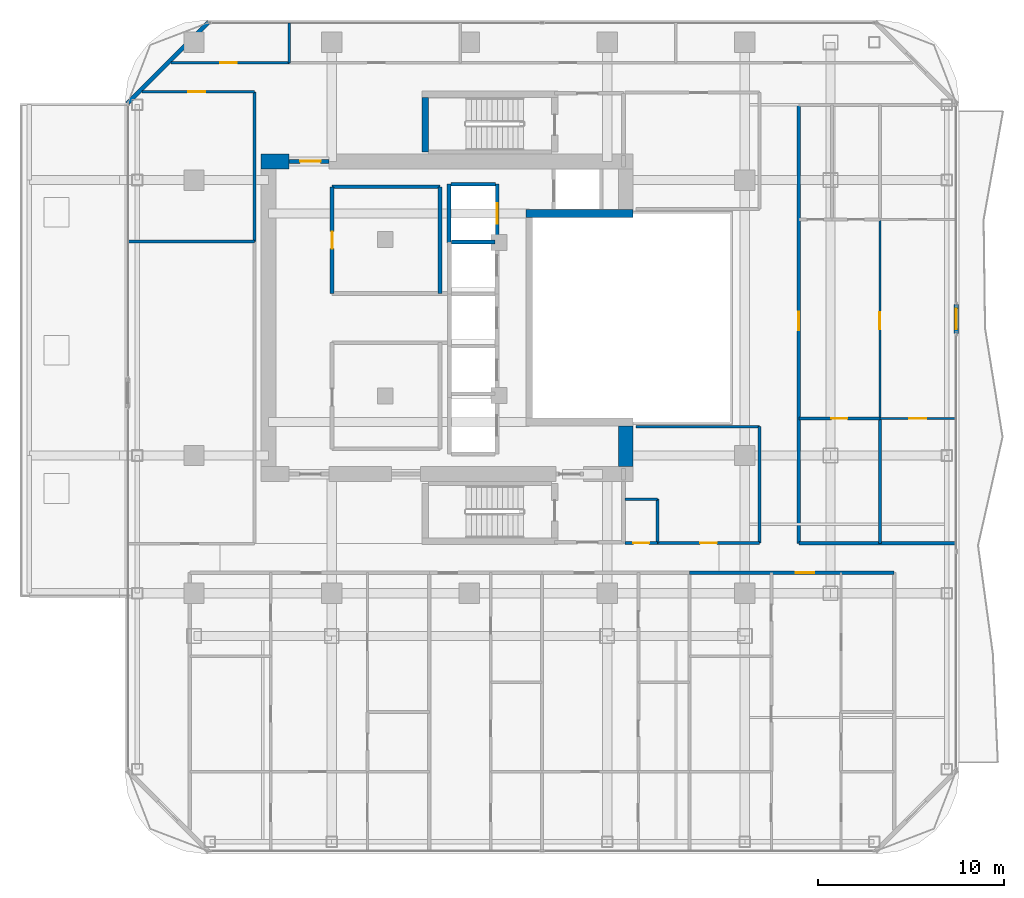
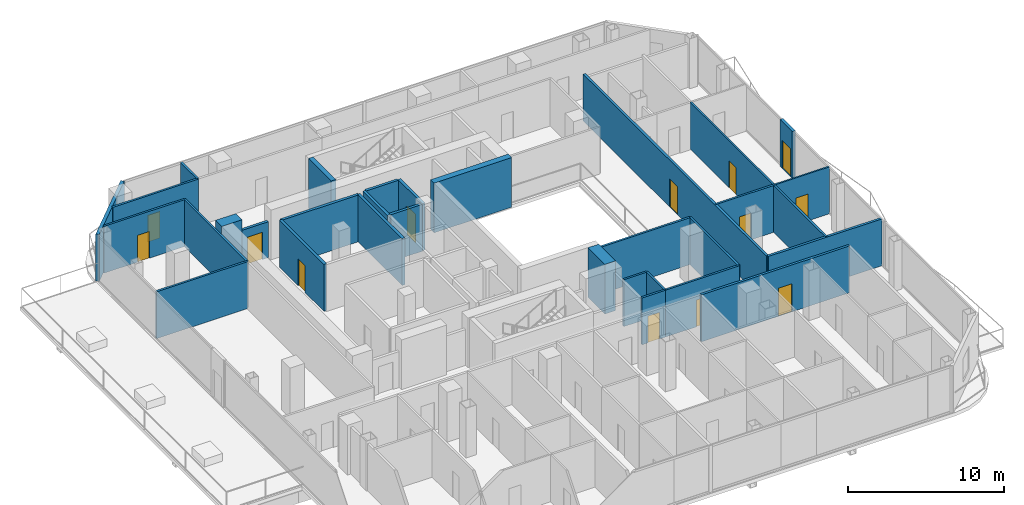
# One storey, part 22 of 26: 32 walls, 13 doors, 13 openings.
"""IFC4 building model written with IfcOpenShell, lengths in metres."""

from ifc_helpers import new_model, si_unit, direction, frame, frame_2d, origin, place, context, subcontext, project, spatial, rectangle, extrude, material, layer, layer_set, type_object, element, fill, save


model = new_model("IFC4")

# Units and contexts
model_context = context("Model", 3, precision=1e-05, world=origin(), true_north=direction((0.0, 1.0)))
body_context = subcontext(model_context, "Body", "Model", "MODEL_VIEW")
ifc_project = project(units=[si_unit("LENGTHUNIT", "METRE"), si_unit("AREAUNIT", "SQUARE_METRE"), si_unit("VOLUMEUNIT", "CUBIC_METRE"), si_unit("PLANEANGLEUNIT", "RADIAN"), si_unit("MASSUNIT", "GRAM", prefix="KILO")], contexts=[model_context])

# Site, building, storey
site_placement = place(None, origin())
site = spatial("IfcSite", under=ifc_project, at=site_placement, CompositionType="ELEMENT")
building_placement = place(site_placement, origin())
building = spatial("IfcBuilding", under=site, at=building_placement, Name="Khorvyn Point Tower", CompositionType="ELEMENT")
storey_placement = place(building_placement, frame((0.0, 0.0, 219.60009765625)))
storey = spatial("IfcBuildingStorey", under=building, at=storey_placement, Name="L54", CompositionType="ELEMENT", Elevation=219.60009765625)

# Wall, opening, door
ifc_material_1 = material(Name="Double acoustic gypsum on twin steel stud", Category="steel")
ifc_layer_1 = layer(ifc_material_1, 0.179931640625)
ifc_layer_set_1 = layer_set([ifc_layer_1], Name="Acoustic Double-Stud Apartment Demising Wall 180")
wall_type_1 = type_object("IfcWallType", Name="Acoustic Double-Stud Apartment Demising Wall 180", PredefinedType="PARTITIONING", material=ifc_layer_set_1)
wall_1_placement = place(storey_placement, frame((11.826904296875, -13.699951171875, 0.0), z_axis=(0.0, 0.0, 1.0), x_axis=(1.0, 0.0, 0.0)))
wall_1 = element("IfcWall", 1, at=wall_1_placement, inside=storey, type_object=wall_type_1, Name="Wall", PredefinedType="PARTITIONING", context=body_context, shape_type="SweptSolid", body=[
    extrude(rectangle(XDim=10.9931640625, YDim=0.179931640625, at=frame_2d((5.49658203125, 0.0))), origin(), (0.0, 0.0, 1.0), 3.679931640625),
])
opening_1_placement = place(wall_1_placement, frame((5.712890625, 0.0, 0.0)))
opening_1 = element("IfcOpeningElement", 2, at=opening_1_placement, cuts=wall_1, Name="Opening ID-AP60", PredefinedType="OPENING", context=body_context, shape_type="SweptSolid", body=[
    extrude(rectangle(XDim=1.0, YDim=2.199951171875, at=frame_2d((0.5, 1.10009765625))), frame((0.0, 0.099853515625, 0.0), z_axis=(0.0, -1.0, 0.0), x_axis=(1.0, 0.0, 0.0)), (0.0, 0.0, 1.0), 0.199951171875),
])
ifc_material_2 = material(Name="Engineered hardwood fire-rated leaf", Category="wood")
door_type_1 = type_object("IfcDoorType", Name="Acoustic Solid-Core Timber Apartment Entrance Door 1000x2200", OperationType="NOTDEFINED", PredefinedType="DOOR", material=ifc_material_2)
door_1_placement = place(opening_1_placement, origin())
door_1 = element("IfcDoor", 3, at=door_1_placement, inside=storey, type_object=door_type_1, Name="Door", OperationType="SINGLE_SWING_LEFT", OverallHeight=2.199951171875, OverallWidth=1.0, PredefinedType="DOOR", context=body_context, shape_type="SweptSolid", body=[
    extrude(rectangle(XDim=1.0, YDim=2.199951171875, at=frame_2d((0.5, 1.10009765625))), frame((0.0, 0.02490234375, 0.0), z_axis=(0.0, -1.0, 0.0), x_axis=(1.0, 0.0, 0.0)), (0.0, 0.0, 1.0), 0.050048828125),
])
fill(opening_1, door_1)

wall_2_placement = place(storey_placement, frame((17.699951171875, -12.1201171875, 0.0), z_axis=(0.0, 0.0, 1.0), x_axis=(0.0, 1.0, 0.0)))
wall_2 = element("IfcWall", 4, at=wall_2_placement, inside=storey, type_object=wall_type_1, Name="Wall", PredefinedType="PARTITIONING", context=body_context, shape_type="SweptSolid", body=[
    extrude(rectangle(XDim=23.550048828125, YDim=0.179931640625, at=frame_2d((11.77490234375, 0.0))), origin(), (0.0, 0.0, 1.0), 3.679931640625),
])
opening_2_placement = place(wall_2_placement, frame((11.454345703125, 0.0, 0.0)))
opening_2 = element("IfcOpeningElement", 5, at=opening_2_placement, cuts=wall_2, Name="Opening ID-AP60", PredefinedType="OPENING", context=body_context, shape_type="SweptSolid", body=[
    extrude(rectangle(XDim=1.0, YDim=2.199951171875, at=frame_2d((0.5, 1.10009765625))), frame((0.0, 0.099853515625, 0.0), z_axis=(0.0, -1.0, 0.0), x_axis=(1.0, 0.0, 0.0)), (0.0, 0.0, 1.0), 0.199951171875),
])
door_2_placement = place(opening_2_placement, origin())
door_2 = element("IfcDoor", 6, at=door_2_placement, inside=storey, type_object=door_type_1, Name="Door", OperationType="SINGLE_SWING_RIGHT", OverallHeight=2.199951171875, OverallWidth=1.0, PredefinedType="DOOR", context=body_context, shape_type="SweptSolid", body=[
    extrude(rectangle(XDim=1.0, YDim=2.199951171875, at=frame_2d((0.5, 1.10009765625))), frame((0.0, 0.02490234375, 0.0), z_axis=(0.0, -1.0, 0.0), x_axis=(1.0, 0.0, 0.0)), (0.0, 0.0, 1.0), 0.050048828125),
])
fill(opening_2, door_2)

# Wall
wall_3_placement = place(storey_placement, frame((17.699951171875, -12.1201171875, 0.0), z_axis=(0.0, 0.0, 1.0), x_axis=(1.0, 0.0, 0.0)))
element("IfcWall", 7, at=wall_3_placement, inside=storey, type_object=wall_type_1, Name="Wall", PredefinedType="PARTITIONING", context=body_context, shape_type="SweptSolid", body=[
    extrude(rectangle(XDim=8.429931640625, YDim=0.179931640625, at=frame_2d((4.21484375, 0.0))), origin(), (0.0, 0.0, 1.0), 3.679931640625),
])

# Wall, opening, door
ifc_material_3 = material(Name="Pale anodised aluminium rainscreen on steel stud", Category="steel")
ifc_layer_2 = layer(ifc_material_3, 0.239990234375)
ifc_layer_set_2 = layer_set([ifc_layer_2], Name="Anodised Aluminium Insulated Corner Spandrel Wall 240")
wall_type_2 = type_object("IfcWallType", Name="Anodised Aluminium Insulated Corner Spandrel Wall 240", PredefinedType="SOLIDWALL", material=ifc_layer_set_2)
wall_4_placement = place(storey_placement, frame((26.14990234375, 0.72509765625, 0.0), z_axis=(0.0, 0.0, 1.0), x_axis=(0.0, -1.0, 0.0)))
wall_4 = element("IfcWall", 8, at=wall_4_placement, inside=storey, type_object=wall_type_2, Name="L54 East Outdoor Threshold Wall", PredefinedType="SOLIDWALL", context=body_context, shape_type="SweptSolid", body=[
    extrude(rectangle(XDim=1.580078125, YDim=0.239990234375, at=frame_2d((0.7900390625, 0.0))), origin(), (0.0, 0.0, 1.0), 3.679931640625),
])
opening_3_placement = place(wall_4_placement, frame((0.239990234375, 0.0, 0.0)))
opening_3 = element("IfcOpeningElement", 9, at=opening_3_placement, cuts=wall_4, Name="Opening BD-1122", PredefinedType="OPENING", context=body_context, shape_type="SweptSolid", body=[
    extrude(rectangle(XDim=1.10009765625, YDim=2.199951171875, at=frame_2d((0.550048828125, 1.10009765625))), frame((0.0, 0.1298828125, 0.0), z_axis=(0.0, -1.0, 0.0), x_axis=(1.0, 0.0, 0.0)), (0.0, 0.0, 1.0), 0.260009765625),
])
ifc_material_4 = material(Name="Anodised aluminium 6063-T6 and laminated Low-E glass", Category="aluminium")
door_type_2 = type_object("IfcDoorType", Name="Glazed Balcony and Terrace Threshold Door 1100x2200", OperationType="NOTDEFINED", PredefinedType="DOOR", material=ifc_material_4)
door_3_placement = place(opening_3_placement, origin())
door_3 = element("IfcDoor", 10, at=door_3_placement, inside=storey, type_object=door_type_2, Name="L54 East Glazed Balcony Outdoor Door", OperationType="SINGLE_SWING_LEFT", OverallHeight=2.199951171875, OverallWidth=1.10009765625, PredefinedType="DOOR", context=body_context, shape_type="SweptSolid", body=[
    extrude(rectangle(XDim=1.10009765625, YDim=2.199951171875, at=frame_2d((0.550048828125, 1.10009765625))), frame((0.0, 0.02490234375, 0.0), z_axis=(0.0, -1.0, 0.0), x_axis=(1.0, 0.0, 0.0)), (0.0, 0.0, 1.0), 0.050048828125),
])
fill(opening_3, door_3)

# Walls
wall_5_placement = place(storey_placement, frame((-18.392333984375, 11.507568359375, 0.0), z_axis=(0.0, 0.0, 1.0), x_axis=(0.707106781187, 0.707106781187, 0.0)))
element("IfcWall", 11, at=wall_5_placement, inside=storey, type_object=wall_type_2, Name="L54 Rounded Corner Wall NW", PredefinedType="SOLIDWALL", context=body_context, shape_type="SweptSolid", body=[
    extrude(rectangle(XDim=6.200927734375, YDim=0.239990234375, at=frame_2d((3.1005859375, 0.0))), origin(), (0.0, 0.0, 1.0), 3.679931640625),
])
ifc_material_5 = material(Name="Concrete C40/50", Category="concrete")
ifc_layer_3 = layer(ifc_material_5, 0.449951171875)
ifc_layer_set_3 = layer_set([ifc_layer_3], Name="Concrete C40/50 Core Shear Wall 450")
wall_type_3 = type_object("IfcWallType", Name="Concrete C40/50 Core Shear Wall 450", PredefinedType="SHEAR", material=ifc_layer_set_3)
wall_6_placement = place(storey_placement, frame((3.044921875, 5.60009765625, 0.0), z_axis=(0.0, 0.0, 1.0), x_axis=(1.0, 0.0, 0.0)))
element("IfcWall", 12, at=wall_6_placement, inside=storey, type_object=wall_type_3, Name="Wall", PredefinedType="SHEAR", context=body_context, shape_type="SweptSolid", body=[
    extrude(rectangle(XDim=5.755126953125, YDim=0.449951171875, at=frame_2d((2.87744140625, 0.0))), origin(), (0.0, 0.0, 1.0), 3.89990234375),
])

# Wall, opening, door
ifc_layer_4 = layer(ifc_material_5, 0.199951171875)
ifc_layer_set_4 = layer_set([ifc_layer_4], Name="Concrete C40/50 Fire-Lobby Compartment Wall 200")
wall_type_4 = type_object("IfcWallType", Name="Concrete C40/50 Fire-Lobby Compartment Wall 200", PredefinedType="SOLIDWALL", material=ifc_layer_set_4)
wall_7_placement = place(storey_placement, frame((-9.699951171875, 8.39990234375, 0.0), z_axis=(0.0, 0.0, 1.0), x_axis=(1.0, 0.0, 0.0)))
wall_7 = element("IfcWall", 13, at=wall_7_placement, inside=storey, type_object=wall_type_4, Name="Wall", PredefinedType="SOLIDWALL", context=body_context, shape_type="SweptSolid", body=[
    extrude(rectangle(XDim=2.14990234375, YDim=0.199951171875, at=frame_2d((1.074951171875, 0.0))), origin(), (0.0, 0.0, 1.0), 2.81982421875),
])
opening_4_placement = place(wall_7_placement, frame((0.597900390625, 0.0, 0.0)))
opening_4 = element("IfcOpeningElement", 14, at=opening_4_placement, cuts=wall_7, Name="Opening ID-FL90", PredefinedType="OPENING", context=body_context, shape_type="SweptSolid", body=[
    extrude(rectangle(XDim=1.10009765625, YDim=2.14990234375, at=frame_2d((0.550048828125, 1.074951171875))), frame((0.0, 0.10986328125, 0.0), z_axis=(0.0, -1.0, 0.0), x_axis=(1.0, 0.0, 0.0)), (0.0, 0.0, 1.0), 0.219970703125),
])
ifc_material_6 = material(Name="Galvanised powder-coated steel", Category="steel")
door_type_3 = type_object("IfcDoorType", Name="Fire-Rated Steel Lobby and Stair Door 1100x2150", OperationType="NOTDEFINED", PredefinedType="DOOR", material=ifc_material_6)
door_4_placement = place(opening_4_placement, origin())
door_4 = element("IfcDoor", 15, at=door_4_placement, inside=storey, type_object=door_type_3, Name="Door", OperationType="SINGLE_SWING_RIGHT", OverallHeight=2.14990234375, OverallWidth=1.10009765625, PredefinedType="DOOR", context=body_context, shape_type="SweptSolid", body=[
    extrude(rectangle(XDim=1.10009765625, YDim=2.14990234375, at=frame_2d((0.550048828125, 1.074951171875))), frame((0.0, 0.02490234375, 0.0), z_axis=(0.0, -1.0, 0.0), x_axis=(1.0, 0.0, 0.0)), (0.0, 0.0, 1.0), 0.050048828125),
])
fill(opening_4, door_4)

wall_8_placement = place(storey_placement, frame((-7.3798828125, 1.300048828125, 0.0), z_axis=(0.0, 0.0, 1.0), x_axis=(0.0, 1.0, 0.0)))
wall_8 = element("IfcWall", 16, at=wall_8_placement, inside=storey, type_object=wall_type_4, Name="Wall", PredefinedType="SOLIDWALL", context=body_context, shape_type="SweptSolid", body=[
    extrude(rectangle(XDim=5.739990234375, YDim=0.199951171875, at=frame_2d((2.8701171875, 0.0))), origin(), (0.0, 0.0, 1.0), 3.679931640625),
])
opening_5_placement = place(wall_8_placement, frame((2.409912109375, 0.0, 0.0)))
opening_5 = element("IfcOpeningElement", 17, at=opening_5_placement, cuts=wall_8, Name="Opening ID-RS60", PredefinedType="OPENING", context=body_context, shape_type="SweptSolid", body=[
    extrude(rectangle(XDim=0.919921875, YDim=2.10009765625, at=frame_2d((0.4599609375, 1.050048828125))), frame((0.0, 0.10986328125, 0.0), z_axis=(0.0, -1.0, 0.0), x_axis=(1.0, 0.0, 0.0)), (0.0, 0.0, 1.0), 0.219970703125),
])
door_type_4 = type_object("IfcDoorType", Name="Fire-Rated Riser and Store Steel Door 920x2100", OperationType="NOTDEFINED", PredefinedType="DOOR", material=ifc_material_6)
door_5_placement = place(opening_5_placement, origin())
door_5 = element("IfcDoor", 18, at=door_5_placement, inside=storey, type_object=door_type_4, Name="Door", OperationType="SINGLE_SWING_RIGHT", OverallHeight=2.10009765625, OverallWidth=0.919921875, PredefinedType="DOOR", context=body_context, shape_type="SweptSolid", body=[
    extrude(rectangle(XDim=0.919921875, YDim=2.10009765625, at=frame_2d((0.4599609375, 1.050048828125))), frame((0.0, 0.02490234375, 0.0), z_axis=(0.0, -1.0, 0.0), x_axis=(1.0, 0.0, 0.0)), (0.0, 0.0, 1.0), 0.050048828125),
])
fill(opening_5, door_5)

# Walls
wall_9_placement = place(storey_placement, frame((-1.580078125, 1.300048828125, 0.0), z_axis=(0.0, 0.0, 1.0), x_axis=(0.0, 1.0, 0.0)))
element("IfcWall", 19, at=wall_9_placement, inside=storey, type_object=wall_type_4, Name="Wall", PredefinedType="SOLIDWALL", context=body_context, shape_type="SweptSolid", body=[
    extrude(rectangle(XDim=5.739990234375, YDim=0.199951171875, at=frame_2d((2.8701171875, 0.0))), origin(), (0.0, 0.0, 1.0), 3.679931640625),
])
wall_10_placement = place(storey_placement, frame((-7.3798828125, 7.0400390625, 0.0), z_axis=(0.0, 0.0, 1.0), x_axis=(1.0, 0.0, 0.0)))
element("IfcWall", 20, at=wall_10_placement, inside=storey, type_object=wall_type_4, Name="Wall", PredefinedType="SOLIDWALL", context=body_context, shape_type="SweptSolid", body=[
    extrude(rectangle(XDim=5.7998046875, YDim=0.199951171875, at=frame_2d((2.89990234375, 0.0))), origin(), (0.0, 0.0, 1.0), 3.679931640625),
])
ifc_layer_5 = layer(ifc_material_5, 0.35009765625)
ifc_layer_set_5 = layer_set([ifc_layer_5], Name="Concrete C40/50 Stair Shaft Structural Wall 350")
wall_type_5 = type_object("IfcWallType", Name="Concrete C40/50 Stair Shaft Structural Wall 350", PredefinedType="SHEAR", material=ifc_layer_set_5)
wall_11_placement = place(storey_placement, frame((-2.3798828125, 8.89990234375, 0.0), z_axis=(0.0, 0.0, 1.0), x_axis=(0.0, 1.0, 0.0)))
element("IfcWall", 21, at=wall_11_placement, inside=storey, type_object=wall_type_5, Name="L54 ST-02 West Shaft Wall", PredefinedType="SHEAR", context=body_context, shape_type="SweptSolid", body=[
    extrude(rectangle(XDim=2.925048828125, YDim=0.35009765625, at=frame_2d((1.46240234375, 0.0))), origin(), (0.0, 0.0, 1.0), 3.89990234375),
])
ifc_layer_6 = layer(ifc_material_5, 0.199951171875)
ifc_layer_set_6 = layer_set([ifc_layer_6], Name="Concrete C40/50 Structural Hoistway and Stair Shaft Wall 200")
wall_type_6 = type_object("IfcWallType", Name="Concrete C40/50 Structural Hoistway and Stair Shaft Wall 200", PredefinedType="SHEAR", material=ifc_layer_set_6)
wall_12_placement = place(storey_placement, frame((-0.97509765625, 4.074951171875, 0.0), z_axis=(0.0, 0.0, 1.0), x_axis=(1.0, 0.0, 0.0)))
element("IfcWall", 22, at=wall_12_placement, inside=storey, type_object=wall_type_6, Name="Wall", PredefinedType="SHEAR", context=body_context, shape_type="SweptSolid", body=[
    extrude(rectangle(XDim=2.35009765625, YDim=0.199951171875, at=frame_2d((1.175048828125, 0.0))), origin(), (0.0, 0.0, 1.0), 3.679931640625),
])
wall_13_placement = place(storey_placement, frame((-1.10009765625, 4.02490234375, 0.0), z_axis=(0.0, 0.0, 1.0), x_axis=(0.0, 1.0, 0.0)))
element("IfcWall", 23, at=wall_13_placement, inside=storey, type_object=wall_type_6, Name="Wall", PredefinedType="SHEAR", context=body_context, shape_type="SweptSolid", body=[
    extrude(rectangle(XDim=3.150146484375, YDim=0.199951171875, at=frame_2d((1.5751953125, 0.0))), origin(), (0.0, 0.0, 1.0), 3.679931640625),
])

# Wall, opening, door
wall_14_placement = place(storey_placement, frame((1.5, 4.02490234375, 0.0), z_axis=(0.0, 0.0, 1.0), x_axis=(0.0, 1.0, 0.0)))
wall_14 = element("IfcWall", 24, at=wall_14_placement, inside=storey, type_object=wall_type_6, Name="Wall", PredefinedType="SHEAR", context=body_context, shape_type="SweptSolid", body=[
    extrude(rectangle(XDim=3.150146484375, YDim=0.199951171875, at=frame_2d((1.5751953125, 0.0))), origin(), (0.0, 0.0, 1.0), 3.679931640625),
])
opening_6_placement = place(wall_14_placement, frame((1.02490234375, 0.0, 0.0)))
opening_6 = element("IfcOpeningElement", 25, at=opening_6_placement, cuts=wall_14, Name="Opening LD-1122", PredefinedType="OPENING", context=body_context, shape_type="SweptSolid", body=[
    extrude(rectangle(XDim=1.10009765625, YDim=2.199951171875, at=frame_2d((0.550048828125, 1.10009765625))), frame((0.0, 0.10986328125, 0.0), z_axis=(0.0, -1.0, 0.0), x_axis=(1.0, 0.0, 0.0)), (0.0, 0.0, 1.0), 0.219970703125),
])
ifc_material_7 = material(Name="Stainless steel 1.4301", Category="steel")
door_type_5 = type_object("IfcDoorType", Name="Stainless Steel Automatic Sliding Lift Landing Door 1100x2200", OperationType="SLIDING_TO_LEFT", PredefinedType="DOOR", material=ifc_material_7)
door_6_placement = place(opening_6_placement, origin())
door_6 = element("IfcDoor", 26, at=door_6_placement, inside=storey, type_object=door_type_5, Name="L54 SV-01 Sliding Lift Landing Door", OperationType="SLIDING_TO_LEFT", OverallHeight=2.199951171875, OverallWidth=1.10009765625, PredefinedType="DOOR", context=body_context, shape_type="SweptSolid", body=[
    extrude(rectangle(XDim=1.10009765625, YDim=2.199951171875, at=frame_2d((0.550048828125, 1.10009765625))), frame((0.0, 0.02490234375, 0.0), z_axis=(0.0, -1.0, 0.0), x_axis=(1.0, 0.0, 0.0)), (0.0, 0.0, 1.0), 0.050048828125),
])
fill(opening_6, door_6)

# Walls
wall_15_placement = place(storey_placement, frame((-1.0, 7.175048828125, 0.0), z_axis=(0.0, 0.0, 1.0), x_axis=(1.0, 0.0, 0.0)))
element("IfcWall", 27, at=wall_15_placement, inside=storey, type_object=wall_type_6, Name="Wall", PredefinedType="SHEAR", context=body_context, shape_type="SweptSolid", body=[
    extrude(rectangle(XDim=2.39990234375, YDim=0.199951171875, at=frame_2d((1.199951171875, 0.0))), origin(), (0.0, 0.0, 1.0), 3.679931640625),
])
ifc_material_8 = material(Name="Concrete C45/55", Category="concrete")
ifc_layer_7 = layer(ifc_material_8, 0.800048828125)
ifc_layer_set_7 = layer_set([ifc_layer_7], Name="Concrete C45/55 Core Shear Wall 800")
wall_type_7 = type_object("IfcWallType", Name="Concrete C45/55 Core Shear Wall 800", PredefinedType="SHEAR", material=ifc_layer_set_7)
wall_16_placement = place(storey_placement, frame((-11.199951171875, 8.39990234375, 0.0), z_axis=(0.0, 0.0, 1.0), x_axis=(1.0, 0.0, 0.0)))
element("IfcWall", 28, at=wall_16_placement, inside=storey, type_object=wall_type_7, Name="Wall", PredefinedType="SHEAR", context=body_context, shape_type="SweptSolid", body=[
    extrude(rectangle(XDim=1.5, YDim=0.800048828125, at=frame_2d((0.75, 0.0))), origin(), (0.0, 0.0, 1.0), 3.89990234375),
])
wall_17_placement = place(storey_placement, frame((8.39990234375, -8.0, 0.0), z_axis=(0.0, 0.0, 1.0), x_axis=(0.0, 1.0, 0.0)))
element("IfcWall", 29, at=wall_17_placement, inside=storey, type_object=wall_type_7, Name="Wall", PredefinedType="SHEAR", context=body_context, shape_type="SweptSolid", body=[
    extrude(rectangle(XDim=2.175048828125, YDim=0.800048828125, at=frame_2d((1.08740234375, 0.0))), origin(), (0.0, 0.0, 1.0), 3.89990234375),
])

# Wall, opening, door
ifc_material_9 = material(Name="Gypsum plasterboard on steel stud", Category="steel")
ifc_layer_8 = layer(ifc_material_9, 0.1201171875)
ifc_layer_set_8 = layer_set([ifc_layer_8], Name="Gypsum Acoustic Stud Room Partition Wall 120")
wall_type_8 = type_object("IfcWallType", Name="Gypsum Acoustic Stud Room Partition Wall 120", PredefinedType="PARTITIONING", material=ifc_layer_set_8)
wall_18_placement = place(storey_placement, frame((22.054931640625, -5.412109375, 0.0), z_axis=(0.0, 0.0, 1.0), x_axis=(0.0, 1.0, 0.0)))
wall_18 = element("IfcWall", 30, at=wall_18_placement, inside=storey, type_object=wall_type_8, Name="Wall", PredefinedType="PARTITIONING", context=body_context, shape_type="SweptSolid", body=[
    extrude(rectangle(XDim=10.694091796875, YDim=0.1201171875, at=frame_2d((5.34716796875, 0.0))), origin(), (0.0, 0.0, 1.0), 3.679931640625),
])
opening_7_placement = place(wall_18_placement, frame((4.8076171875, 0.0, 0.0)))
opening_7 = element("IfcOpeningElement", 31, at=opening_7_placement, cuts=wall_18, Name="Opening ID-RM90", PredefinedType="OPENING", context=body_context, shape_type="SweptSolid", body=[
    extrude(rectangle(XDim=0.89990234375, YDim=2.10009765625, at=frame_2d((0.449951171875, 1.050048828125))), frame((0.0, 0.070068359375, 0.0), z_axis=(0.0, -1.0, 0.0), x_axis=(1.0, 0.0, 0.0)), (0.0, 0.0, 1.0), 0.14013671875),
])
ifc_material_10 = material(Name="Engineered oak veneer timber", Category="wood")
door_type_6 = type_object("IfcDoorType", Name="Flush Engineered Timber Room Door 900x2100", OperationType="NOTDEFINED", PredefinedType="DOOR", material=ifc_material_10)
door_7_placement = place(opening_7_placement, origin())
door_7 = element("IfcDoor", 32, at=door_7_placement, inside=storey, type_object=door_type_6, Name="Door", OperationType="SINGLE_SWING_LEFT", OverallHeight=2.10009765625, OverallWidth=0.89990234375, PredefinedType="DOOR", context=body_context, shape_type="SweptSolid", body=[
    extrude(rectangle(XDim=0.89990234375, YDim=2.10009765625, at=frame_2d((0.449951171875, 1.050048828125))), frame((0.0, 0.02490234375, 0.0), z_axis=(0.0, -1.0, 0.0), x_axis=(1.0, 0.0, 0.0)), (0.0, 0.0, 1.0), 0.050048828125),
])
fill(opening_7, door_7)

wall_19_placement = place(storey_placement, frame((22.054931640625, -5.412109375, 0.0), z_axis=(0.0, 0.0, 1.0), x_axis=(1.0, 0.0, 0.0)))
wall_19 = element("IfcWall", 33, at=wall_19_placement, inside=storey, type_object=wall_type_8, Name="Wall", PredefinedType="PARTITIONING", context=body_context, shape_type="SweptSolid", body=[
    extrude(rectangle(XDim=4.074951171875, YDim=0.1201171875, at=frame_2d((2.03759765625, 0.0))), origin(), (0.0, 0.0, 1.0), 3.679931640625),
])
opening_8_placement = place(wall_19_placement, frame((1.58740234375, 0.0, 0.0)))
opening_8 = element("IfcOpeningElement", 34, at=opening_8_placement, cuts=wall_19, Name="Opening ID-RM90", PredefinedType="OPENING", context=body_context, shape_type="SweptSolid", body=[
    extrude(rectangle(XDim=0.89990234375, YDim=2.10009765625, at=frame_2d((0.449951171875, 1.050048828125))), frame((0.0, 0.070068359375, 0.0), z_axis=(0.0, -1.0, 0.0), x_axis=(1.0, 0.0, 0.0)), (0.0, 0.0, 1.0), 0.14013671875),
])
door_8_placement = place(opening_8_placement, origin())
door_8 = element("IfcDoor", 35, at=door_8_placement, inside=storey, type_object=door_type_6, Name="Door", OperationType="SINGLE_SWING_LEFT", OverallHeight=2.10009765625, OverallWidth=0.89990234375, PredefinedType="DOOR", context=body_context, shape_type="SweptSolid", body=[
    extrude(rectangle(XDim=0.89990234375, YDim=2.10009765625, at=frame_2d((0.449951171875, 1.050048828125))), frame((0.0, 0.02490234375, 0.0), z_axis=(0.0, -1.0, 0.0), x_axis=(1.0, 0.0, 0.0)), (0.0, 0.0, 1.0), 0.050048828125),
])
fill(opening_8, door_8)

ifc_material_11 = material(Name="Moisture-resistant gypsum and cement board", Category="gypsum")
ifc_layer_9 = layer(ifc_material_11, 0.14990234375)
ifc_layer_set_9 = layer_set([ifc_layer_9], Name="Moisture-Resistant Wet-Room Partition Wall 150")
wall_type_9 = type_object("IfcWallType", Name="Moisture-Resistant Wet-Room Partition Wall 150", PredefinedType="PARTITIONING", material=ifc_layer_set_9)
wall_20_placement = place(storey_placement, frame((8.360107421875, -12.10009765625, 0.0), z_axis=(0.0, 0.0, 1.0), x_axis=(1.0, 0.0, 0.0)))
wall_20 = element("IfcWall", 36, at=wall_20_placement, inside=storey, type_object=wall_type_9, Name="Wall", PredefinedType="PARTITIONING", context=body_context, shape_type="SweptSolid", body=[
    extrude(rectangle(XDim=1.739990234375, YDim=0.14990234375, at=frame_2d((0.8701171875, 0.0))), origin(), (0.0, 0.0, 1.0), 3.679931640625),
])
opening_9_placement = place(wall_20_placement, frame((0.445068359375, 0.0, 0.0)))
opening_9 = element("IfcOpeningElement", 37, at=opening_9_placement, cuts=wall_20, Name="Opening ID-WC85", PredefinedType="OPENING", context=body_context, shape_type="SweptSolid", body=[
    extrude(rectangle(XDim=0.85009765625, YDim=2.10009765625, at=frame_2d((0.425048828125, 1.050048828125))), frame((0.0, 0.0849609375, 0.0), z_axis=(0.0, -1.0, 0.0), x_axis=(1.0, 0.0, 0.0)), (0.0, 0.0, 1.0), 0.169921875),
])
ifc_material_12 = material(Name="High-pressure laminate on moisture-resistant core", Category="wood")
door_type_7 = type_object("IfcDoorType", Name="Moisture-Resistant Accessible Washroom Door 850x2100", OperationType="NOTDEFINED", PredefinedType="DOOR", material=ifc_material_12)
door_9_placement = place(opening_9_placement, origin())
door_9 = element("IfcDoor", 38, at=door_9_placement, inside=storey, type_object=door_type_7, Name="Door", OperationType="SINGLE_SWING_LEFT", OverallHeight=2.10009765625, OverallWidth=0.85009765625, PredefinedType="DOOR", context=body_context, shape_type="SweptSolid", body=[
    extrude(rectangle(XDim=0.85009765625, YDim=2.10009765625, at=frame_2d((0.425048828125, 1.050048828125))), frame((0.0, 0.02490234375, 0.0), z_axis=(0.0, -1.0, 0.0), x_axis=(1.0, 0.0, 0.0)), (0.0, 0.0, 1.0), 0.050048828125),
])
fill(opening_9, door_9)

wall_21_placement = place(storey_placement, frame((10.10009765625, -12.10009765625, 0.0), z_axis=(0.0, 0.0, 1.0), x_axis=(1.0, 0.0, 0.0)))
wall_21 = element("IfcWall", 39, at=wall_21_placement, inside=storey, type_object=wall_type_9, Name="Wall", PredefinedType="PARTITIONING", context=body_context, shape_type="SweptSolid", body=[
    extrude(rectangle(XDim=5.47998046875, YDim=0.14990234375, at=frame_2d((2.739990234375, 0.0))), origin(), (0.0, 0.0, 1.0), 3.679931640625),
])
opening_10_placement = place(wall_21_placement, frame((2.2900390625, 0.0, 0.0)))
opening_10 = element("IfcOpeningElement", 40, at=opening_10_placement, cuts=wall_21, Name="Opening ID-RM90", PredefinedType="OPENING", context=body_context, shape_type="SweptSolid", body=[
    extrude(rectangle(XDim=0.89990234375, YDim=2.10009765625, at=frame_2d((0.449951171875, 1.050048828125))), frame((0.0, 0.0849609375, 0.0), z_axis=(0.0, -1.0, 0.0), x_axis=(1.0, 0.0, 0.0)), (0.0, 0.0, 1.0), 0.169921875),
])
door_10_placement = place(opening_10_placement, origin())
door_10 = element("IfcDoor", 41, at=door_10_placement, inside=storey, type_object=door_type_6, Name="Door", OperationType="SINGLE_SWING_RIGHT", OverallHeight=2.10009765625, OverallWidth=0.89990234375, PredefinedType="DOOR", context=body_context, shape_type="SweptSolid", body=[
    extrude(rectangle(XDim=0.89990234375, YDim=2.10009765625, at=frame_2d((0.449951171875, 1.050048828125))), frame((0.0, 0.02490234375, 0.0), z_axis=(0.0, -1.0, 0.0), x_axis=(1.0, 0.0, 0.0)), (0.0, 0.0, 1.0), 0.050048828125),
])
fill(opening_10, door_10)

wall_22_placement = place(storey_placement, frame((-16.030029296875, 13.699951171875, 0.0), z_axis=(0.0, 0.0, 1.0), x_axis=(1.0, 0.0, 0.0)))
wall_22 = element("IfcWall", 42, at=wall_22_placement, inside=storey, type_object=wall_type_9, Name="Wall", PredefinedType="PARTITIONING", context=body_context, shape_type="SweptSolid", body=[
    extrude(rectangle(XDim=6.35009765625, YDim=0.14990234375, at=frame_2d((3.175048828125, 0.0))), origin(), (0.0, 0.0, 1.0), 3.679931640625),
])
opening_11_placement = place(wall_22_placement, frame((2.63671875, 0.0, 0.0)))
opening_11 = element("IfcOpeningElement", 43, at=opening_11_placement, cuts=wall_22, Name="Opening ID-RM90", PredefinedType="OPENING", context=body_context, shape_type="SweptSolid", body=[
    extrude(rectangle(XDim=0.89990234375, YDim=2.10009765625, at=frame_2d((0.449951171875, 1.050048828125))), frame((0.0, 0.0849609375, 0.0), z_axis=(0.0, -1.0, 0.0), x_axis=(1.0, 0.0, 0.0)), (0.0, 0.0, 1.0), 0.169921875),
])
door_11_placement = place(opening_11_placement, origin())
door_11 = element("IfcDoor", 44, at=door_11_placement, inside=storey, type_object=door_type_6, Name="Door", OperationType="SINGLE_SWING_RIGHT", OverallHeight=2.10009765625, OverallWidth=0.89990234375, PredefinedType="DOOR", context=body_context, shape_type="SweptSolid", body=[
    extrude(rectangle(XDim=0.89990234375, YDim=2.10009765625, at=frame_2d((0.449951171875, 1.050048828125))), frame((0.0, 0.02490234375, 0.0), z_axis=(0.0, -1.0, 0.0), x_axis=(1.0, 0.0, 0.0)), (0.0, 0.0, 1.0), 0.050048828125),
])
fill(opening_11, door_11)

wall_23_placement = place(storey_placement, frame((-17.590087890625, 12.139892578125, 0.0), z_axis=(0.0, 0.0, 1.0), x_axis=(1.0, 0.0, 0.0)))
wall_23 = element("IfcWall", 45, at=wall_23_placement, inside=storey, type_object=wall_type_9, Name="Wall", PredefinedType="PARTITIONING", context=body_context, shape_type="SweptSolid", body=[
    extrude(rectangle(XDim=6.0400390625, YDim=0.14990234375, at=frame_2d((3.02001953125, 0.0))), origin(), (0.0, 0.0, 1.0), 3.679931640625),
])
opening_12_placement = place(wall_23_placement, frame((2.480712890625, 0.0, 0.0)))
opening_12 = element("IfcOpeningElement", 46, at=opening_12_placement, cuts=wall_23, Name="Opening ID-RM90", PredefinedType="OPENING", context=body_context, shape_type="SweptSolid", body=[
    extrude(rectangle(XDim=0.89990234375, YDim=2.10009765625, at=frame_2d((0.449951171875, 1.050048828125))), frame((0.0, 0.0849609375, 0.0), z_axis=(0.0, -1.0, 0.0), x_axis=(1.0, 0.0, 0.0)), (0.0, 0.0, 1.0), 0.169921875),
])
door_12_placement = place(opening_12_placement, origin())
door_12 = element("IfcDoor", 47, at=door_12_placement, inside=storey, type_object=door_type_6, Name="Door", OperationType="SINGLE_SWING_LEFT", OverallHeight=2.10009765625, OverallWidth=0.89990234375, PredefinedType="DOOR", context=body_context, shape_type="SweptSolid", body=[
    extrude(rectangle(XDim=0.89990234375, YDim=2.10009765625, at=frame_2d((0.449951171875, 1.050048828125))), frame((0.0, 0.02490234375, 0.0), z_axis=(0.0, -1.0, 0.0), x_axis=(1.0, 0.0, 0.0)), (0.0, 0.0, 1.0), 0.050048828125),
])
fill(opening_12, door_12)

wall_24_placement = place(storey_placement, frame((17.699951171875, -5.412109375, 0.0), z_axis=(0.0, 0.0, 1.0), x_axis=(1.0, 0.0, 0.0)))
wall_24 = element("IfcWall", 48, at=wall_24_placement, inside=storey, type_object=wall_type_9, Name="Wall", PredefinedType="PARTITIONING", context=body_context, shape_type="SweptSolid", body=[
    extrude(rectangle(XDim=4.35498046875, YDim=0.14990234375, at=frame_2d((2.177490234375, 0.0))), origin(), (0.0, 0.0, 1.0), 3.679931640625),
])
opening_13_placement = place(wall_24_placement, frame((1.75244140625, 0.0, 0.0)))
opening_13 = element("IfcOpeningElement", 49, at=opening_13_placement, cuts=wall_24, Name="Opening ID-WC85", PredefinedType="OPENING", context=body_context, shape_type="SweptSolid", body=[
    extrude(rectangle(XDim=0.85009765625, YDim=2.10009765625, at=frame_2d((0.425048828125, 1.050048828125))), frame((0.0, 0.0849609375, 0.0), z_axis=(0.0, -1.0, 0.0), x_axis=(1.0, 0.0, 0.0)), (0.0, 0.0, 1.0), 0.169921875),
])
door_13_placement = place(opening_13_placement, origin())
door_13 = element("IfcDoor", 50, at=door_13_placement, inside=storey, type_object=door_type_7, Name="Door", OperationType="SINGLE_SWING_RIGHT", OverallHeight=2.10009765625, OverallWidth=0.85009765625, PredefinedType="DOOR", context=body_context, shape_type="SweptSolid", body=[
    extrude(rectangle(XDim=0.85009765625, YDim=2.10009765625, at=frame_2d((0.425048828125, 1.050048828125))), frame((0.0, 0.02490234375, 0.0), z_axis=(0.0, -1.0, 0.0), x_axis=(1.0, 0.0, 0.0)), (0.0, 0.0, 1.0), 0.050048828125),
])
fill(opening_13, door_13)

# Walls
wall_25_placement = place(storey_placement, frame((8.360107421875, -9.75, 0.0), z_axis=(0.0, 0.0, 1.0), x_axis=(1.0, 0.0, 0.0)))
element("IfcWall", 51, at=wall_25_placement, inside=storey, type_object=wall_type_9, Name="Wall", PredefinedType="PARTITIONING", context=body_context, shape_type="SweptSolid", body=[
    extrude(rectangle(XDim=1.739990234375, YDim=0.14990234375, at=frame_2d((0.8701171875, 0.0))), origin(), (0.0, 0.0, 1.0), 3.679931640625),
])
wall_26_placement = place(storey_placement, frame((10.10009765625, -12.10009765625, 0.0), z_axis=(0.0, 0.0, 1.0), x_axis=(0.0, 1.0, 0.0)))
element("IfcWall", 52, at=wall_26_placement, inside=storey, type_object=wall_type_9, Name="Wall", PredefinedType="PARTITIONING", context=body_context, shape_type="SweptSolid", body=[
    extrude(rectangle(XDim=2.35009765625, YDim=0.14990234375, at=frame_2d((1.175048828125, 0.0))), origin(), (0.0, 0.0, 1.0), 3.679931640625),
])
wall_27_placement = place(storey_placement, frame((15.580078125, -12.10009765625, 0.0), z_axis=(0.0, 0.0, 1.0), x_axis=(0.0, 1.0, 0.0)))
element("IfcWall", 53, at=wall_27_placement, inside=storey, type_object=wall_type_9, Name="Wall", PredefinedType="PARTITIONING", context=body_context, shape_type="SweptSolid", body=[
    extrude(rectangle(XDim=6.25, YDim=0.14990234375, at=frame_2d((3.125, 0.0))), origin(), (0.0, 0.0, 1.0), 3.679931640625),
])
wall_28_placement = place(storey_placement, frame((8.9599609375, -5.85009765625, 0.0), z_axis=(0.0, 0.0, 1.0), x_axis=(1.0, 0.0, 0.0)))
element("IfcWall", 54, at=wall_28_placement, inside=storey, type_object=wall_type_9, Name="Wall", PredefinedType="PARTITIONING", context=body_context, shape_type="SweptSolid", body=[
    extrude(rectangle(XDim=6.6201171875, YDim=0.14990234375, at=frame_2d((3.31005859375, 0.0))), origin(), (0.0, 0.0, 1.0), 3.679931640625),
])
wall_29_placement = place(storey_placement, frame((-9.679931640625, 13.699951171875, 0.0), z_axis=(0.0, 0.0, 1.0), x_axis=(0.0, 1.0, 0.0)))
element("IfcWall", 55, at=wall_29_placement, inside=storey, type_object=wall_type_9, Name="Wall", PredefinedType="PARTITIONING", context=body_context, shape_type="SweptSolid", body=[
    extrude(rectangle(XDim=2.130126953125, YDim=0.14990234375, at=frame_2d((1.06494140625, 0.0))), origin(), (0.0, 0.0, 1.0), 3.679931640625),
])
wall_30_placement = place(storey_placement, frame((-18.330078125, 4.10009765625, 0.0), z_axis=(0.0, 0.0, 1.0), x_axis=(1.0, 0.0, 0.0)))
element("IfcWall", 56, at=wall_30_placement, inside=storey, type_object=wall_type_9, Name="Wall", PredefinedType="PARTITIONING", context=body_context, shape_type="SweptSolid", body=[
    extrude(rectangle(XDim=6.780029296875, YDim=0.14990234375, at=frame_2d((3.39013671875, 0.0))), origin(), (0.0, 0.0, 1.0), 3.679931640625),
])
wall_31_placement = place(storey_placement, frame((-11.550048828125, 4.10009765625, 0.0), z_axis=(0.0, 0.0, 1.0), x_axis=(0.0, 1.0, 0.0)))
element("IfcWall", 57, at=wall_31_placement, inside=storey, type_object=wall_type_9, Name="Wall", PredefinedType="PARTITIONING", context=body_context, shape_type="SweptSolid", body=[
    extrude(rectangle(XDim=8.039794921875, YDim=0.14990234375, at=frame_2d((4.02001953125, 0.0))), origin(), (0.0, 0.0, 1.0), 3.679931640625),
])
wall_32_placement = place(storey_placement, frame((22.054931640625, -12.1201171875, 0.0), z_axis=(0.0, 0.0, 1.0), x_axis=(0.0, 1.0, 0.0)))
element("IfcWall", 58, at=wall_32_placement, inside=storey, type_object=wall_type_9, Name="Wall", PredefinedType="PARTITIONING", context=body_context, shape_type="SweptSolid", body=[
    extrude(rectangle(XDim=6.7080078125, YDim=0.14990234375, at=frame_2d((3.35400390625, 0.0))), origin(), (0.0, 0.0, 1.0), 3.679931640625),
])

save(model, "model.ifc")
